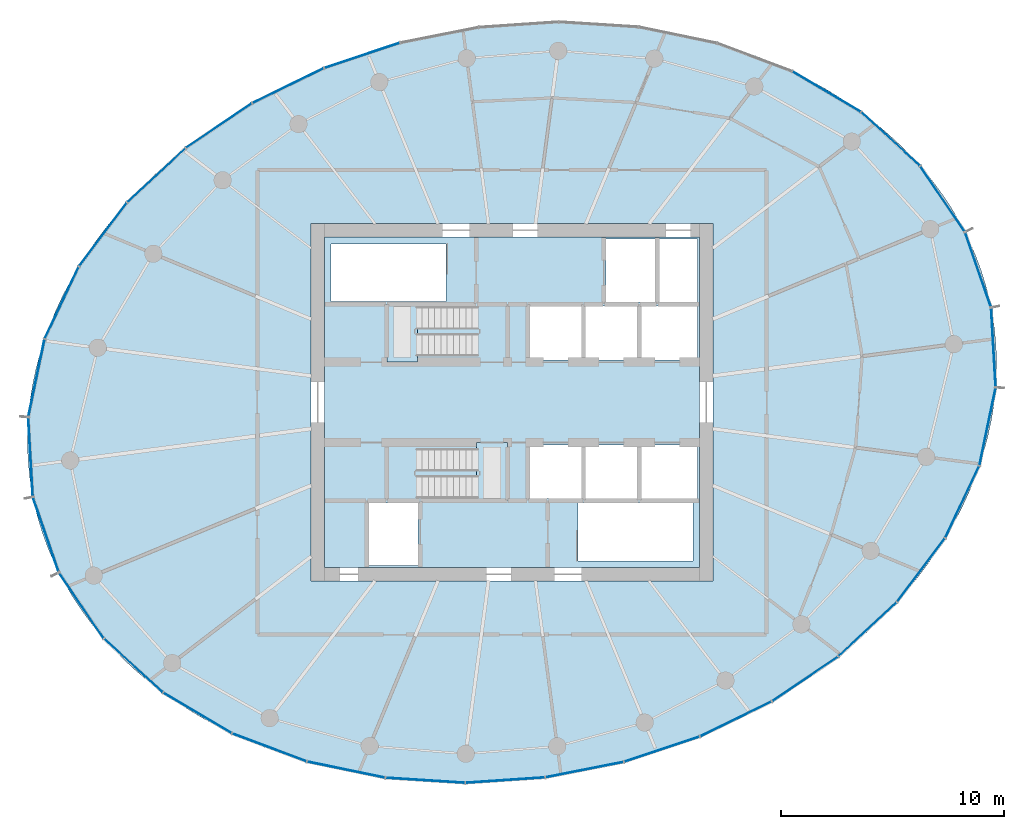
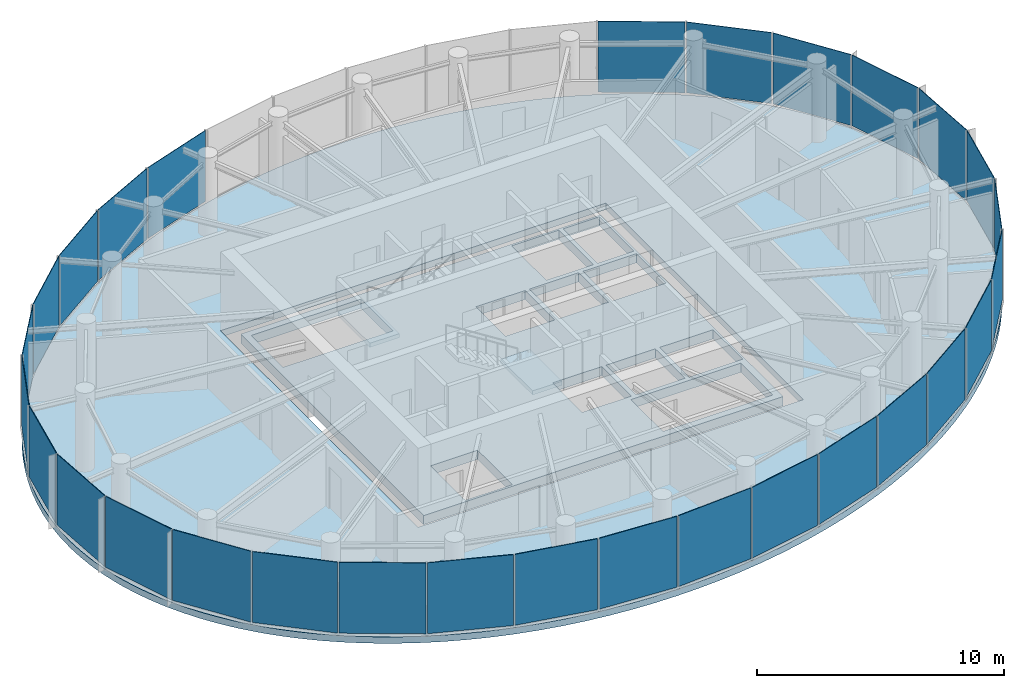
# One storey, part 7 of 13: 29 plates, 4 slabs, 8 elements without a shape of their own.
"""IFC4 building model written with IfcOpenShell, lengths in metres."""

from ifc_helpers import new_model, si_unit, direction, frame, origin, origin_2d, place, context, subcontext, project, spatial, line, indexed_curve, rectangle, outline, extrude, source, transform, mapped, material, layer, layer_set, type_object, element, aggregate, save


model = new_model("IFC4")

# Units and contexts
model_context = context("Model", 3, precision=1e-05, world=origin(), true_north=direction((0.0, 1.0)))
body_context = subcontext(model_context, "Body", "Model", "MODEL_VIEW")
ifc_project = project(units=[si_unit("LENGTHUNIT", "METRE"), si_unit("AREAUNIT", "SQUARE_METRE"), si_unit("VOLUMEUNIT", "CUBIC_METRE"), si_unit("PLANEANGLEUNIT", "RADIAN"), si_unit("MASSUNIT", "GRAM", prefix="KILO")], contexts=[model_context])

# Site, building, storey
site_placement = place(None, origin())
site = spatial("IfcSite", under=ifc_project, at=site_placement, CompositionType="ELEMENT")
building_placement = place(site_placement, origin())
building = spatial("IfcBuilding", under=site, at=building_placement, Name="Spindrift Exchange Tower", CompositionType="ELEMENT")
storey_placement = place(building_placement, frame((0.0, 0.0, 265.699951171875)))
storey = spatial("IfcBuildingStorey", under=building, at=storey_placement, Name="L65", CompositionType="ELEMENT", Elevation=265.699951171875)

# Slabs
ifc_material_1 = material(Name="Concrete 40 MPa", Category="concrete")
ifc_layer_1 = layer(ifc_material_1, 0.320068359375)
ifc_layer_set_1 = layer_set([ifc_layer_1], Name="RC Floor Slab 320 Concrete 40 MPa")
slab_type_1 = type_object("IfcSlabType", Name="RC Floor Slab 320 Concrete 40 MPa", PredefinedType="FLOOR", material=ifc_layer_set_1)
slab_1_placement = place(storey_placement, frame((0.0, 0.0, -0.320068359375)))
element("IfcSlab", 1, at=slab_1_placement, inside=storey, type_object=slab_type_1, Name="Floor slab L65", PredefinedType="FLOOR", context=body_context, shape_type="SweptSolid", body=[
    extrude(outline(indexed_curve([(73.445068359375, 52.23681640625), (73.29638671875, 52.89794921875), (73.208984375, 53.2255859375), (73.0087890625, 53.873046875), (72.775634765625, 54.509521484375), (72.510009765625, 55.133056640625), (72.365234375, 55.439453125), (72.052978515625, 56.041259765625), (71.711669921875, 56.626708984375), (71.5302734375, 56.9130859375), (71.147216796875, 57.47216796875), (70.738525390625, 58.012939453125), (70.52490234375, 58.27587890625), (70.080078125, 58.78759765625), (69.849365234375, 59.035888671875), (69.3720703125, 59.51708984375), (68.874755859375, 59.9775390625), (68.35888671875, 60.41748046875), (68.094482421875, 60.62939453125), (67.553466796875, 61.037841796875), (67.277099609375, 61.23388671875), (66.7138671875, 61.61083984375), (66.136962890625, 61.966796875), (65.84375, 62.136962890625), (65.547607421875, 62.302001953125), (64.947265625, 62.616455078125), (64.64306640625, 62.76611328125), (64.027587890625, 63.050048828125), (63.716552734375, 63.1845703125), (63.087890625, 63.4384765625), (62.451904296875, 63.672607421875), (62.131103515625, 63.7822265625), (61.808837890625, 63.88720703125), (61.159912109375, 64.08251953125), (60.17626953125, 64.340087890625), (59.1826171875, 64.5556640625), (58.180908203125, 64.730224609375), (57.173095703125, 64.8642578125), (56.160888671875, 64.958740234375), (55.1455078125, 65.014404296875), (54.12890625, 65.031494140625), (53.112548828125, 65.010986328125), (52.097412109375, 64.952880859375), (51.0849609375, 64.858154296875), (50.076904296875, 64.72705078125), (49.407470703125, 64.61962890625), (48.740966796875, 64.49609375), (48.07763671875, 64.356689453125), (47.417724609375, 64.201904296875), (46.435302734375, 63.939697265625), (45.462890625, 63.642333984375), (44.502197265625, 63.309814453125), (43.55419921875, 62.9423828125), (42.62060546875, 62.539794921875), (41.70263671875, 62.102294921875), (40.80224609375, 61.630126953125), (39.921142578125, 61.122802734375), (39.06103515625, 60.58056640625), (38.22412109375, 60.003173828125), (37.412353515625, 59.39111328125), (36.886474609375, 58.96337890625), (36.628173828125, 58.743896484375), (36.121826171875, 58.293212890625), (35.8740234375, 58.06201171875), (35.389404296875, 57.588134765625), (35.152587890625, 57.345458984375), (34.69140625, 56.848876953125), (34.467041015625, 56.5947265625), (34.03125, 56.075439453125), (33.8203125, 55.810302734375), (33.412353515625, 55.26904296875), (33.2158203125, 54.992919921875), (32.837890625, 54.43017578125), (32.656982421875, 54.1435546875), (32.31201171875, 53.56005859375), (31.989990234375, 52.963623046875), (31.838134765625, 52.66064453125), (31.553466796875, 52.04541015625), (31.294921875, 51.4189453125), (31.17578125, 51.1015625), (30.958984375, 50.459228515625), (30.861572265625, 50.134765625), (30.689208984375, 49.479248046875), (30.547607421875, 48.81640625), (30.43798828125, 48.1474609375), (30.3955078125, 47.811279296875), (30.335693359375, 47.135986328125), (30.318603515625, 46.797607421875), (30.309814453125, 46.119873046875), (30.336181640625, 45.4423828125), (30.397216796875, 44.767578125), (30.441162109375, 44.431396484375), (30.554931640625, 43.76318359375), (30.70361328125, 43.10205078125), (30.791015625, 42.7744140625), (30.9912109375, 42.126953125), (31.224365234375, 41.490478515625), (31.489990234375, 40.866943359375), (31.634765625, 40.560546875), (31.947021484375, 39.958740234375), (32.288330078125, 39.373291015625), (32.4697265625, 39.0869140625), (32.852783203125, 38.52783203125), (33.261474609375, 37.987060546875), (33.47509765625, 37.72412109375), (33.919921875, 37.21240234375), (34.150634765625, 36.964111328125), (34.6279296875, 36.48291015625), (35.125244140625, 36.0224609375), (35.64111328125, 35.58251953125), (35.905517578125, 35.37060546875), (36.446533203125, 34.962158203125), (36.722900390625, 34.76611328125), (37.2861328125, 34.38916015625), (37.863037109375, 34.033203125), (38.15625, 33.863037109375), (38.452392578125, 33.697998046875), (39.052734375, 33.383544921875), (39.35693359375, 33.23388671875), (39.972412109375, 32.949951171875), (40.283447265625, 32.8154296875), (40.912109375, 32.5615234375), (41.548095703125, 32.327392578125), (41.868896484375, 32.2177734375), (42.191162109375, 32.11279296875), (42.840087890625, 31.91748046875), (43.82373046875, 31.659912109375), (44.8173828125, 31.4443359375), (45.819091796875, 31.269775390625), (46.826904296875, 31.1357421875), (47.839111328125, 31.041259765625), (48.8544921875, 30.985595703125), (49.87109375, 30.968505859375), (50.887451171875, 30.989013671875), (51.902587890625, 31.047119140625), (52.9150390625, 31.141845703125), (53.923095703125, 31.27294921875), (54.592529296875, 31.38037109375), (55.259033203125, 31.50390625), (55.92236328125, 31.643310546875), (56.582275390625, 31.798095703125), (57.564697265625, 32.060302734375), (58.537109375, 32.357666015625), (59.497802734375, 32.690185546875), (60.44580078125, 33.0576171875), (61.37939453125, 33.460205078125), (62.29736328125, 33.897705078125), (63.19775390625, 34.369873046875), (64.078857421875, 34.877197265625), (64.93896484375, 35.41943359375), (65.77587890625, 35.996826171875), (66.587646484375, 36.60888671875), (67.113525390625, 37.03662109375), (67.371826171875, 37.256103515625), (67.878173828125, 37.706787109375), (68.1259765625, 37.93798828125), (68.610595703125, 38.411865234375), (68.847412109375, 38.654541015625), (69.30859375, 39.151123046875), (69.532958984375, 39.4052734375), (69.96875, 39.924560546875), (70.1796875, 40.189697265625), (70.587646484375, 40.73095703125), (70.7841796875, 41.007080078125), (71.162109375, 41.56982421875), (71.343017578125, 41.8564453125), (71.68798828125, 42.43994140625), (72.010009765625, 43.036376953125), (72.161865234375, 43.33935546875), (72.446533203125, 43.95458984375), (72.705078125, 44.5810546875), (72.82421875, 44.8984375), (73.041015625, 45.540771484375), (73.138427734375, 45.865234375), (73.310791015625, 46.520751953125), (73.452392578125, 47.18359375), (73.56201171875, 47.8525390625), (73.6044921875, 48.188720703125), (73.664306640625, 48.864013671875), (73.681396484375, 49.202392578125), (73.690185546875, 49.880126953125), (73.663818359375, 50.5576171875), (73.602783203125, 51.232421875), (73.558837890625, 51.568603515625)], segments=[line(1, 2, 3, 4, 5, 6, 7, 8, 9, 10, 11, 12, 13, 14, 15, 16, 17, 18, 19, 20, 21, 22, 23, 24, 25, 26, 27, 28, 29, 30, 31, 32, 33, 34, 35, 36, 37, 38, 39, 40, 41, 42, 43, 44, 45, 46, 47, 48, 49, 50, 51, 52, 53, 54, 55, 56, 57, 58, 59, 60, 61, 62, 63, 64, 65, 66, 67, 68, 69, 70, 71, 72, 73, 74, 75, 76, 77, 78, 79, 80, 81, 82, 83, 84, 85, 86, 87, 88, 89, 90, 91, 92, 93, 94, 95, 96, 97, 98, 99, 100, 101, 102, 103, 104, 105, 106, 107, 108, 109, 110, 111, 112, 113, 114, 115, 116, 117, 118, 119, 120, 121, 122, 123, 124, 125, 126, 127, 128, 129, 130, 131, 132, 133, 134, 135, 136, 137, 138, 139, 140, 141, 142, 143, 144, 145, 146, 147, 148, 149, 150, 151, 152, 153, 154, 155, 156, 157, 158, 159, 160, 161, 162, 163, 164, 165, 166, 167, 168, 169, 170, 171, 172, 173, 174, 175, 176, 177, 178, 179, 180, 181, 182, 183, 184, 1)], self_intersect=False), holes=[indexed_curve([(43.0, 40.0), (61.0, 40.0), (61.0, 56.0), (43.0, 56.0)], segments=[line(1, 2, 3, 4, 1)], self_intersect=False)]), origin(), (0.0, 0.0, 1.0), 0.320068359375),
])
ifc_material_2 = material(Name="Concrete 50 MPa", Category="concrete")
ifc_layer_2 = layer(ifc_material_2, 0.449951171875)
ifc_layer_set_2 = layer_set([ifc_layer_2], Name="SL-CORE-FLOOR-450")
slab_type_2 = type_object("IfcSlabType", Name="SL-CORE-FLOOR-450", PredefinedType="FLOOR", material=ifc_layer_set_2)
slab_2_placement = place(storey_placement, frame((0.0, 0.0, -0.449951171875)))
element("IfcSlab", 2, at=slab_2_placement, inside=storey, type_object=slab_type_2, Name="L65 Core floor slab", PredefinedType="FLOOR", context=body_context, shape_type="SweptSolid", body=[
    extrude(outline(indexed_curve([(43.60009765625, 40.60009765625), (43.60009765625, 55.39990234375), (60.39990234375, 55.39990234375), (60.39990234375, 40.60009765625)], segments=[line(1, 2, 3, 4, 1)], self_intersect=False), holes=[indexed_curve([(45.60009765625, 43.5), (45.60009765625, 40.699951171875), (47.800048828125, 40.699951171875), (47.800048828125, 43.5)], segments=[line(1, 2, 3, 4, 1)], self_intersect=False), indexed_curve([(52.800048828125, 46.10009765625), (52.800048828125, 43.699951171875), (55.10009765625, 43.699951171875), (55.10009765625, 46.10009765625)], segments=[line(1, 2, 3, 4, 1)], self_intersect=False), indexed_curve([(55.300048828125, 46.10009765625), (55.300048828125, 43.699951171875), (57.60009765625, 43.699951171875), (57.60009765625, 46.10009765625)], segments=[line(1, 2, 3, 4, 1)], self_intersect=False), indexed_curve([(55.10009765625, 52.300048828125), (52.800048828125, 52.300048828125), (52.800048828125, 49.89990234375), (55.10009765625, 49.89990234375)], segments=[line(1, 2, 3, 4, 1)], self_intersect=False), indexed_curve([(57.60009765625, 52.300048828125), (55.300048828125, 52.300048828125), (55.300048828125, 49.89990234375), (57.60009765625, 49.89990234375)], segments=[line(1, 2, 3, 4, 1)], self_intersect=False), indexed_curve([(43.906005859375, 52.506103515625), (49.0439453125, 52.506103515625), (49.0439453125, 55.093994140625), (43.906005859375, 55.093994140625)], segments=[line(1, 2, 3, 4, 1)], self_intersect=False), indexed_curve([(60.093994140625, 40.906005859375), (60.093994140625, 43.493896484375), (54.9560546875, 43.493896484375), (54.9560546875, 40.906005859375)], segments=[line(1, 2, 3, 4, 1)], self_intersect=False), indexed_curve([(60.300048828125, 46.10009765625), (57.800048828125, 46.10009765625), (57.800048828125, 43.699951171875), (60.300048828125, 43.699951171875)], segments=[line(1, 2, 3, 4, 1)], self_intersect=False), indexed_curve([(57.800048828125, 52.300048828125), (57.800048828125, 49.89990234375), (60.300048828125, 49.89990234375), (60.300048828125, 52.300048828125)], segments=[line(1, 2, 3, 4, 1)], self_intersect=False), indexed_curve([(58.39990234375, 55.300048828125), (56.199951171875, 55.300048828125), (56.199951171875, 52.5), (58.39990234375, 52.5)], segments=[line(1, 2, 3, 4, 1)], self_intersect=False), indexed_curve([(60.300048828125, 55.300048828125), (58.60009765625, 55.300048828125), (58.60009765625, 52.5), (60.300048828125, 52.5)], segments=[line(1, 2, 3, 4, 1)], self_intersect=False)]), origin(), (0.0, 0.0, 1.0), 0.449951171875),
])

# Stair, slab
stair_type = type_object("IfcStairType", Name="ST-1050-R177", PredefinedType="HALF_TURN_STAIR", material=ifc_material_2)
stair_1_placement = place(storey_placement, origin())
stair_1 = element("IfcStair", 3, at=stair_1_placement, inside=storey, type_object=stair_type, Name="L65 Exit stair ST3", PredefinedType="HALF_TURN_STAIR")
ifc_layer_3 = layer(ifc_material_2, 0.199951171875)
ifc_layer_set_3 = layer_set([ifc_layer_3], Name="SL-LANDING")
slab_type_3 = type_object("IfcSlabType", Name="SL-LANDING", PredefinedType="LANDING", material=ifc_layer_set_3)
slab_3_placement = place(storey_placement, frame((0.0, 0.0, 1.75)))
slab_3 = element("IfcSlab", 4, at=slab_3_placement, type_object=slab_type_3, Name="ST3 landing 1", PredefinedType="LANDING", context=body_context, shape_type="SweptSolid", body=[
    extrude(outline(indexed_curve([(47.780029296875, 49.800048828125), (46.39990234375, 49.800048828125), (46.39990234375, 52.39990234375), (47.780029296875, 52.39990234375)], segments=[line(1, 2, 3, 4, 1)], self_intersect=False)), origin(), (0.0, 0.0, 1.0), 0.199951171875),
])
aggregate(stair_1, [slab_3])

stair_2_placement = place(storey_placement, origin())
stair_2 = element("IfcStair", 5, at=stair_2_placement, inside=storey, type_object=stair_type, Name="L65 Exit stair ST4", PredefinedType="HALF_TURN_STAIR")
slab_4_placement = place(storey_placement, frame((0.0, 0.0, 1.75)))
slab_4 = element("IfcSlab", 6, at=slab_4_placement, type_object=slab_type_3, Name="ST4 landing 1", PredefinedType="LANDING", context=body_context, shape_type="SweptSolid", body=[
    extrude(outline(indexed_curve([(50.419921875, 46.199951171875), (51.800048828125, 46.199951171875), (51.800048828125, 43.60009765625), (50.419921875, 43.60009765625)], segments=[line(1, 2, 3, 4, 1)], self_intersect=False)), origin(), (0.0, 0.0, 1.0), 0.199951171875),
])
aggregate(stair_2, [slab_4])

# Curtain wall, plate
ifc_material_3 = material(Name="Fritted laminated glass with bronze frame", Category="glass")
ifc_layer_4 = layer(ifc_material_3, 0.159912109375)
ifc_layer_set_4 = layer_set([ifc_layer_4], Name="ZONE 5 BRONZE FRITTED WALL")
curtain_wall_type = type_object("IfcCurtainWallType", Name="ZONE 5 BRONZE FRITTED WALL", PredefinedType="NOTDEFINED", material=ifc_layer_set_4)
curtain_wall_1_placement = place(storey_placement, origin())
curtain_wall_1 = element("IfcCurtainWall", 7, at=curtain_wall_1_placement, inside=storey, type_object=curtain_wall_type, Name="L65 Zone 5 Bronze Fritted Wall run 1", PredefinedType="NOTDEFINED")
ifc_material_4 = material(Name="Bronze fritted laminated glass, open frit", Category="glass")
ifc_layer_5 = layer(ifc_material_4, 0.028076171875)
ifc_layer_set_5 = layer_set([ifc_layer_5], Name="ZONE 5 BRONZE FRITTED WALL PANEL OPEN FRIT 360")
plate_type_1 = type_object("IfcPlateType", Name="ZONE 5 BRONZE FRITTED WALL PANEL OPEN FRIT 360", PredefinedType="CURTAIN_PANEL", material=ifc_layer_set_5)
shared_shape_1 = source(origin(), body_context, "Body", "SweptSolid", [
    extrude(rectangle(XDim=3.517578125, YDim=0.028076171875, at=origin_2d()), origin(), (0.0, 0.0, 1.0), 3.5),
])
plate_1_placement = place(storey_placement, frame((72.860595703125, 53.927490234375, 0.1201171875), z_axis=(0.0, 0.0, 1.0), x_axis=(-0.326615857476, 0.945157172985, 0.0)))
plate_1 = element("IfcPlate", 8, at=plate_1_placement, type_object=plate_type_1, Name="L65 panel CW-5.1", PredefinedType="CURTAIN_PANEL", context=body_context, shape_type="MappedRepresentation", body=[
    mapped(shared_shape_1, transform((0.0, 0.0, 0.0), scale=1.0)),
])

curtain_wall_2_placement = place(storey_placement, origin())
curtain_wall_2 = element("IfcCurtainWall", 9, at=curtain_wall_2_placement, inside=storey, type_object=curtain_wall_type, Name="L65 Zone 5 Bronze Fritted Wall run 3", PredefinedType="NOTDEFINED")
plate_2_placement = place(storey_placement, frame((31.139404296875, 42.072509765625, 0.1201171875), z_axis=(0.0, 0.0, 1.0), x_axis=(0.326615857476, -0.945157172985, 0.0)))
plate_2 = element("IfcPlate", 10, at=plate_2_placement, type_object=plate_type_1, Name="L65 panel CW-5.18", PredefinedType="CURTAIN_PANEL", context=body_context, shape_type="MappedRepresentation", body=[
    mapped(shared_shape_1, transform((0.0, 0.0, 0.0), scale=1.0)),
])

curtain_wall_3_placement = place(storey_placement, origin())
curtain_wall_3 = element("IfcCurtainWall", 11, at=curtain_wall_3_placement, inside=storey, type_object=curtain_wall_type, Name="L65 Zone 5 Bronze Fritted Wall run 6", PredefinedType="NOTDEFINED")
plate_3_placement = place(storey_placement, frame((73.547607421875, 50.450927734375, 0.1201171875), z_axis=(0.0, 0.0, 1.0), x_axis=(-0.057358418389, 0.998353650687, 0.0)))
plate_3 = element("IfcPlate", 12, at=plate_3_placement, type_object=plate_type_1, Name="L65 panel CW-5.34", PredefinedType="CURTAIN_PANEL", context=body_context, shape_type="MappedRepresentation", body=[
    mapped(shared_shape_1, transform((0.0, 0.0, 0.0), scale=1.0)),
])

# Plate
ifc_layer_6 = layer(ifc_material_4, 0.028076171875)
ifc_layer_set_6 = layer_set([ifc_layer_6], Name="ZONE 5 BRONZE FRITTED WALL PANEL OPEN FRIT 480")
plate_type_2 = type_object("IfcPlateType", Name="ZONE 5 BRONZE FRITTED WALL PANEL OPEN FRIT 480", PredefinedType="CURTAIN_PANEL", material=ifc_layer_set_6)
shared_shape_2 = source(origin(), body_context, "Body", "SweptSolid", [
    extrude(rectangle(XDim=3.519287109375, YDim=0.028076171875, at=origin_2d()), origin(), (0.0, 0.0, 1.0), 3.5),
])
plate_4_placement = place(storey_placement, frame((71.271240234375, 57.0986328125, 0.1201171875), z_axis=(0.0, 0.0, 1.0), x_axis=(-0.561715222577, 0.827330652596, 0.0)))
plate_4 = element("IfcPlate", 13, at=plate_4_placement, type_object=plate_type_2, Name="L65 panel CW-5.2", PredefinedType="CURTAIN_PANEL", context=body_context, shape_type="MappedRepresentation", body=[
    mapped(shared_shape_2, transform((0.0, 0.0, 0.0), scale=1.0)),
])

plate_5_placement = place(storey_placement, frame((30.716552734375, 49.086669921875, 0.1201171875), z_axis=(0.0, 0.0, 1.0), x_axis=(-0.204897519413, -0.978783431888, 0.0)))
plate_5 = element("IfcPlate", 14, at=plate_5_placement, type_object=plate_type_2, Name="L65 panel CW-5.16", PredefinedType="CURTAIN_PANEL", context=body_context, shape_type="MappedRepresentation", body=[
    mapped(shared_shape_2, transform((0.0, 0.0, 0.0), scale=1.0)),
])

shared_shape_3 = source(origin(), body_context, "Body", "SweptSolid", [
    extrude(rectangle(XDim=3.521484375, YDim=0.028076171875, at=origin_2d()), origin(), (0.0, 0.0, 1.0), 3.5),
])
plate_6_placement = place(storey_placement, frame((68.94189453125, 59.784912109375, 0.1201171875), z_axis=(0.0, 0.0, 1.0), x_axis=(-0.739352644774, 0.673318399174, 0.0)))
plate_6 = element("IfcPlate", 15, at=plate_6_placement, type_object=plate_type_1, Name="L65 panel CW-5.3", PredefinedType="CURTAIN_PANEL", context=body_context, shape_type="MappedRepresentation", body=[
    mapped(shared_shape_3, transform((0.0, 0.0, 0.0), scale=1.0)),
])

shared_shape_4 = source(origin(), body_context, "Body", "SweptSolid", [
    extrude(rectangle(XDim=3.5234375, YDim=0.028076171875, at=origin_2d()), origin(), (0.0, 0.0, 1.0), 3.5),
])
plate_7_placement = place(storey_placement, frame((66.07666015625, 61.904296875, 0.1201171875), z_axis=(0.0, 0.0, 1.0), x_axis=(-0.860285020043, 0.509813381826, 0.0)))
plate_7 = element("IfcPlate", 16, at=plate_7_placement, type_object=plate_type_2, Name="L65 panel CW-5.4", PredefinedType="CURTAIN_PANEL", context=body_context, shape_type="MappedRepresentation", body=[
    mapped(shared_shape_4, transform((0.0, 0.0, 0.0), scale=1.0)),
])

aggregate(curtain_wall_1, [plate_1, plate_4, plate_6, plate_7])

# Curtain wall, plate
curtain_wall_4_placement = place(storey_placement, origin())
curtain_wall_4 = element("IfcCurtainWall", 17, at=curtain_wall_4_placement, inside=storey, type_object=curtain_wall_type, Name="L65 Zone 5 Bronze Fritted Wall run 4", PredefinedType="NOTDEFINED")
plate_8_placement = place(storey_placement, frame((37.92333984375, 34.095703125, 0.1201171875), z_axis=(0.0, 0.0, 1.0), x_axis=(0.860285020043, -0.509813381826, 0.0)))
plate_8 = element("IfcPlate", 18, at=plate_8_placement, type_object=plate_type_2, Name="L65 panel CW-5.21", PredefinedType="CURTAIN_PANEL", context=body_context, shape_type="MappedRepresentation", body=[
    mapped(shared_shape_4, transform((0.0, 0.0, 0.0), scale=1.0)),
])

# Plate
shared_shape_5 = source(origin(), body_context, "Body", "SweptSolid", [
    extrude(rectangle(XDim=3.524658203125, YDim=0.028076171875, at=origin_2d()), origin(), (0.0, 0.0, 1.0), 3.5),
])
plate_9_placement = place(storey_placement, frame((36.084228515625, 58.158203125, 0.1201171875), z_axis=(0.0, 0.0, 1.0), x_axis=(-0.732305237754, -0.680976533192, 0.0)))
plate_9 = element("IfcPlate", 19, at=plate_9_placement, type_object=plate_type_2, Name="L65 panel CW-5.13", PredefinedType="CURTAIN_PANEL", context=body_context, shape_type="MappedRepresentation", body=[
    mapped(shared_shape_5, transform((0.0, 0.0, 0.0), scale=1.0)),
])

shared_shape_6 = source(origin(), body_context, "Body", "SweptSolid", [
    extrude(rectangle(XDim=3.525390625, YDim=0.028076171875, at=origin_2d()), origin(), (0.0, 0.0, 1.0), 3.5),
])
plate_10_placement = place(storey_placement, frame((44.576416015625, 31.5595703125, 0.1201171875), z_axis=(0.0, 0.0, 1.0), x_axis=(0.979256774214, -0.202623222154, 0.0)))
plate_10 = element("IfcPlate", 20, at=plate_10_placement, type_object=plate_type_1, Name="L65 panel CW-5.23", PredefinedType="CURTAIN_PANEL", context=body_context, shape_type="MappedRepresentation", body=[
    mapped(shared_shape_6, transform((0.0, 0.0, 0.0), scale=1.0)),
])

# Curtain wall, plates
curtain_wall_5_placement = place(storey_placement, origin())
curtain_wall_5 = element("IfcCurtainWall", 21, at=curtain_wall_5_placement, inside=storey, type_object=curtain_wall_type, Name="L65 Zone 5 Bronze Fritted Wall run 5", PredefinedType="NOTDEFINED")
plate_11_placement = place(storey_placement, frame((65.117919921875, 35.617919921875, 0.1201171875), z_axis=(0.0, 0.0, 1.0), x_axis=(0.828641118303, 0.559780222103, 0.0)))
plate_11 = element("IfcPlate", 22, at=plate_11_placement, type_object=plate_type_1, Name="L65 panel CW-5.29", PredefinedType="CURTAIN_PANEL", context=body_context, shape_type="MappedRepresentation", body=[
    mapped(shared_shape_6, transform((0.0, 0.0, 0.0), scale=1.0)),
])
shared_shape_7 = source(origin(), body_context, "Body", "SweptSolid", [
    extrude(rectangle(XDim=3.5263671875, YDim=0.028076171875, at=origin_2d()), origin(), (0.0, 0.0, 1.0), 3.5),
])
plate_12_placement = place(storey_placement, frame((51.699951171875, 31.090087890625, 0.1201171875), z_axis=(0.0, 0.0, 1.0), x_axis=(0.997696016141, 0.067842902183, 0.0)))
plate_12 = element("IfcPlate", 23, at=plate_12_placement, type_object=plate_type_1, Name="L65 panel CW-5.25", PredefinedType="CURTAIN_PANEL", context=body_context, shape_type="MappedRepresentation", body=[
    mapped(shared_shape_7, transform((0.0, 0.0, 0.0), scale=1.0)),
])
plate_13_placement = place(storey_placement, frame((55.248046875, 31.559326171875, 0.1201171875), z_axis=(0.0, 0.0, 1.0), x_axis=(0.981037106548, 0.193820008193, 0.0)))
plate_13 = element("IfcPlate", 24, at=plate_13_placement, type_object=plate_type_1, Name="L65 panel CW-5.26", PredefinedType="CURTAIN_PANEL", context=body_context, shape_type="MappedRepresentation", body=[
    mapped(shared_shape_7, transform((0.0, 0.0, 0.0), scale=1.0)),
])

# Curtain wall, plate
curtain_wall_6_placement = place(storey_placement, origin())
curtain_wall_6 = element("IfcCurtainWall", 25, at=curtain_wall_6_placement, inside=storey, type_object=curtain_wall_type, Name="L65 Zone 5 Bronze Fritted Wall run 2", PredefinedType="NOTDEFINED")
shared_shape_8 = source(origin(), body_context, "Body", "SweptSolid", [
    extrude(rectangle(XDim=3.526123046875, YDim=0.028076171875, at=origin_2d()), origin(), (0.0, 0.0, 1.0), 3.5),
])
plate_14_placement = place(storey_placement, frame((45.2919921875, 63.525146484375, 0.1201171875), z_axis=(0.0, 0.0, 1.0), x_axis=(-0.948541075938, -0.316654112966, 0.0)))
plate_14 = element("IfcPlate", 26, at=plate_14_placement, type_object=plate_type_2, Name="L65 panel CW-5.10", PredefinedType="CURTAIN_PANEL", context=body_context, shape_type="MappedRepresentation", body=[
    mapped(shared_shape_8, transform((0.0, 0.0, 0.0), scale=1.0)),
])

# Plate
plate_15_placement = place(storey_placement, frame((58.7080078125, 32.474853515625, 0.1201171875), z_axis=(0.0, 0.0, 1.0), x_axis=(0.948541075938, 0.316654112966, 0.0)))
plate_15 = element("IfcPlate", 27, at=plate_15_placement, type_object=plate_type_2, Name="L65 panel CW-5.27", PredefinedType="CURTAIN_PANEL", context=body_context, shape_type="MappedRepresentation", body=[
    mapped(shared_shape_8, transform((0.0, 0.0, 0.0), scale=1.0)),
])

plate_16_placement = place(storey_placement, frame((62.0205078125, 33.82861328125, 0.1201171875), z_axis=(0.0, 0.0, 1.0), x_axis=(0.898839182551, 0.438278591664, 0.0)))
plate_16 = element("IfcPlate", 28, at=plate_16_placement, type_object=plate_type_2, Name="L65 panel CW-5.28", PredefinedType="CURTAIN_PANEL", context=body_context, shape_type="MappedRepresentation", body=[
    mapped(shared_shape_8, transform((0.0, 0.0, 0.0), scale=1.0)),
])

shared_shape_9 = source(origin(), body_context, "Body", "SweptSolid", [
    extrude(rectangle(XDim=3.526123046875, YDim=0.028076171875, at=origin_2d()), origin(), (0.0, 0.0, 1.0), 3.5),
])
plate_17_placement = place(storey_placement, frame((41.9794921875, 62.17138671875, 0.1201171875), z_axis=(0.0, 0.0, 1.0), x_axis=(-0.898839182551, -0.438278591664, 0.0)))
plate_17 = element("IfcPlate", 29, at=plate_17_placement, type_object=plate_type_1, Name="L65 panel CW-5.11", PredefinedType="CURTAIN_PANEL", context=body_context, shape_type="MappedRepresentation", body=[
    mapped(shared_shape_9, transform((0.0, 0.0, 0.0), scale=1.0)),
])

ifc_layer_7 = layer(ifc_material_4, 0.028076171875)
ifc_layer_set_7 = layer_set([ifc_layer_7], Name="ZONE 5 BRONZE FRITTED WALL PANEL OPEN FRIT 600")
plate_type_3 = type_object("IfcPlateType", Name="ZONE 5 BRONZE FRITTED WALL PANEL OPEN FRIT 600", PredefinedType="CURTAIN_PANEL", material=ifc_layer_set_7)
shared_shape_10 = source(origin(), body_context, "Body", "SweptSolid", [
    extrude(rectangle(XDim=3.525390625, YDim=0.028076171875, at=origin_2d()), origin(), (0.0, 0.0, 1.0), 3.5),
])
plate_18_placement = place(storey_placement, frame((38.882080078125, 60.382080078125, 0.1201171875), z_axis=(0.0, 0.0, 1.0), x_axis=(-0.828641118303, -0.559780222103, 0.0)))
plate_18 = element("IfcPlate", 30, at=plate_18_placement, type_object=plate_type_3, Name="L65 panel CW-5.12", PredefinedType="CURTAIN_PANEL", context=body_context, shape_type="MappedRepresentation", body=[
    mapped(shared_shape_10, transform((0.0, 0.0, 0.0), scale=1.0)),
])

aggregate(curtain_wall_6, [plate_14, plate_17, plate_18])

shared_shape_11 = source(origin(), body_context, "Body", "SweptSolid", [
    extrude(rectangle(XDim=3.5234375, YDim=0.028076171875, at=origin_2d()), origin(), (0.0, 0.0, 1.0), 3.5),
])
plate_19_placement = place(storey_placement, frame((33.693359375, 55.506591796875, 0.1201171875), z_axis=(0.0, 0.0, 1.0), x_axis=(-0.601780175531, -0.798661768421, 0.0)))
plate_19 = element("IfcPlate", 31, at=plate_19_placement, type_object=plate_type_1, Name="L65 panel CW-5.14", PredefinedType="CURTAIN_PANEL", context=body_context, shape_type="MappedRepresentation", body=[
    mapped(shared_shape_11, transform((0.0, 0.0, 0.0), scale=1.0)),
])

plate_20_placement = place(storey_placement, frame((70.306640625, 40.493408203125, 0.1201171875), z_axis=(0.0, 0.0, 1.0), x_axis=(0.601780175531, 0.798661768421, 0.0)))
plate_20 = element("IfcPlate", 32, at=plate_20_placement, type_object=plate_type_1, Name="L65 panel CW-5.31", PredefinedType="CURTAIN_PANEL", context=body_context, shape_type="MappedRepresentation", body=[
    mapped(shared_shape_11, transform((0.0, 0.0, 0.0), scale=1.0)),
])

shared_shape_12 = source(origin(), body_context, "Body", "SweptSolid", [
    extrude(rectangle(XDim=3.521484375, YDim=0.028076171875, at=origin_2d()), origin(), (0.0, 0.0, 1.0), 3.5),
])
plate_21_placement = place(storey_placement, frame((31.84912109375, 52.456787109375, 0.1201171875), z_axis=(0.0, 0.0, 1.0), x_axis=(-0.427753880719, -0.903895246989, 0.0)))
plate_21 = element("IfcPlate", 33, at=plate_21_placement, type_object=plate_type_2, Name="L65 panel CW-5.15", PredefinedType="CURTAIN_PANEL", context=body_context, shape_type="MappedRepresentation", body=[
    mapped(shared_shape_12, transform((0.0, 0.0, 0.0), scale=1.0)),
])

plate_22_placement = place(storey_placement, frame((72.15087890625, 43.543212890625, 0.1201171875), z_axis=(0.0, 0.0, 1.0), x_axis=(0.427753880719, 0.903895246989, 0.0)))
plate_22 = element("IfcPlate", 34, at=plate_22_placement, type_object=plate_type_2, Name="L65 panel CW-5.32", PredefinedType="CURTAIN_PANEL", context=body_context, shape_type="MappedRepresentation", body=[
    mapped(shared_shape_12, transform((0.0, 0.0, 0.0), scale=1.0)),
])

shared_shape_13 = source(origin(), body_context, "Body", "SweptSolid", [
    extrude(rectangle(XDim=3.517578125, YDim=0.028076171875, at=origin_2d()), origin(), (0.0, 0.0, 1.0), 3.5),
])
plate_23_placement = place(storey_placement, frame((30.452392578125, 45.549072265625, 0.1201171875), z_axis=(0.0, 0.0, 1.0), x_axis=(0.057358418389, -0.998353650687, 0.0)))
plate_23 = element("IfcPlate", 35, at=plate_23_placement, type_object=plate_type_2, Name="L65 panel CW-5.17", PredefinedType="CURTAIN_PANEL", context=body_context, shape_type="MappedRepresentation", body=[
    mapped(shared_shape_13, transform((0.0, 0.0, 0.0), scale=1.0)),
])

aggregate(curtain_wall_2, [plate_9, plate_19, plate_21, plate_5, plate_23, plate_2])

shared_shape_14 = source(origin(), body_context, "Body", "SweptSolid", [
    extrude(rectangle(XDim=3.519287109375, YDim=0.028076171875, at=origin_2d()), origin(), (0.0, 0.0, 1.0), 3.5),
])
plate_24_placement = place(storey_placement, frame((32.728759765625, 38.9013671875, 0.1201171875), z_axis=(0.0, 0.0, 1.0), x_axis=(0.561715222577, -0.827330652596, 0.0)))
plate_24 = element("IfcPlate", 36, at=plate_24_placement, type_object=plate_type_3, Name="L65 panel CW-5.19", PredefinedType="CURTAIN_PANEL", context=body_context, shape_type="MappedRepresentation", body=[
    mapped(shared_shape_14, transform((0.0, 0.0, 0.0), scale=1.0)),
])

plate_25_placement = place(storey_placement, frame((73.283447265625, 46.913330078125, 0.1201171875), z_axis=(0.0, 0.0, 1.0), x_axis=(0.204897519413, 0.978783431888, 0.0)))
plate_25 = element("IfcPlate", 37, at=plate_25_placement, type_object=plate_type_3, Name="L65 panel CW-5.33", PredefinedType="CURTAIN_PANEL", context=body_context, shape_type="MappedRepresentation", body=[
    mapped(shared_shape_14, transform((0.0, 0.0, 0.0), scale=1.0)),
])

aggregate(curtain_wall_3, [plate_20, plate_22, plate_25, plate_3])

shared_shape_15 = source(origin(), body_context, "Body", "SweptSolid", [
    extrude(rectangle(XDim=3.521484375, YDim=0.028076171875, at=origin_2d()), origin(), (0.0, 0.0, 1.0), 3.5),
])
plate_26_placement = place(storey_placement, frame((35.05810546875, 36.215087890625, 0.1201171875), z_axis=(0.0, 0.0, 1.0), x_axis=(0.739352644774, -0.673318399174, 0.0)))
plate_26 = element("IfcPlate", 38, at=plate_26_placement, type_object=plate_type_3, Name="L65 panel CW-5.20", PredefinedType="CURTAIN_PANEL", context=body_context, shape_type="MappedRepresentation", body=[
    mapped(shared_shape_15, transform((0.0, 0.0, 0.0), scale=1.0)),
])

shared_shape_16 = source(origin(), body_context, "Body", "SweptSolid", [
    extrude(rectangle(XDim=3.524658203125, YDim=0.028076171875, at=origin_2d()), origin(), (0.0, 0.0, 1.0), 3.5),
])
plate_27_placement = place(storey_placement, frame((41.142822265625, 32.552490234375, 0.1201171875), z_axis=(0.0, 0.0, 1.0), x_axis=(0.936253442493, -0.351325335579, 0.0)))
plate_27 = element("IfcPlate", 39, at=plate_27_placement, type_object=plate_type_1, Name="L65 panel CW-5.22", PredefinedType="CURTAIN_PANEL", context=body_context, shape_type="MappedRepresentation", body=[
    mapped(shared_shape_16, transform((0.0, 0.0, 0.0), scale=1.0)),
])

shared_shape_17 = source(origin(), body_context, "Body", "SweptSolid", [
    extrude(rectangle(XDim=3.52587890625, YDim=0.028076171875, at=origin_2d()), origin(), (0.0, 0.0, 1.0), 3.5),
])
plate_28_placement = place(storey_placement, frame((48.12158203125, 31.08251953125, 0.1201171875), z_axis=(0.0, 0.0, 1.0), x_axis=(0.997980321567, -0.0635238362, 0.0)))
plate_28 = element("IfcPlate", 40, at=plate_28_placement, type_object=plate_type_1, Name="L65 panel CW-5.24", PredefinedType="CURTAIN_PANEL", context=body_context, shape_type="MappedRepresentation", body=[
    mapped(shared_shape_17, transform((0.0, 0.0, 0.0), scale=1.0)),
])

aggregate(curtain_wall_4, [plate_24, plate_26, plate_8, plate_27, plate_10, plate_28])

shared_shape_18 = source(origin(), body_context, "Body", "SweptSolid", [
    extrude(rectangle(XDim=3.524658203125, YDim=0.028076171875, at=origin_2d()), origin(), (0.0, 0.0, 1.0), 3.5),
])
plate_29_placement = place(storey_placement, frame((67.916015625, 37.841796875, 0.1201171875), z_axis=(0.0, 0.0, 1.0), x_axis=(0.732305237754, 0.680976533192, 0.0)))
plate_29 = element("IfcPlate", 41, at=plate_29_placement, type_object=plate_type_3, Name="L65 panel CW-5.30", PredefinedType="CURTAIN_PANEL", context=body_context, shape_type="MappedRepresentation", body=[
    mapped(shared_shape_18, transform((0.0, 0.0, 0.0), scale=1.0)),
])

aggregate(curtain_wall_5, [plate_12, plate_13, plate_15, plate_16, plate_11, plate_29])

save(model, "model.ifc")
